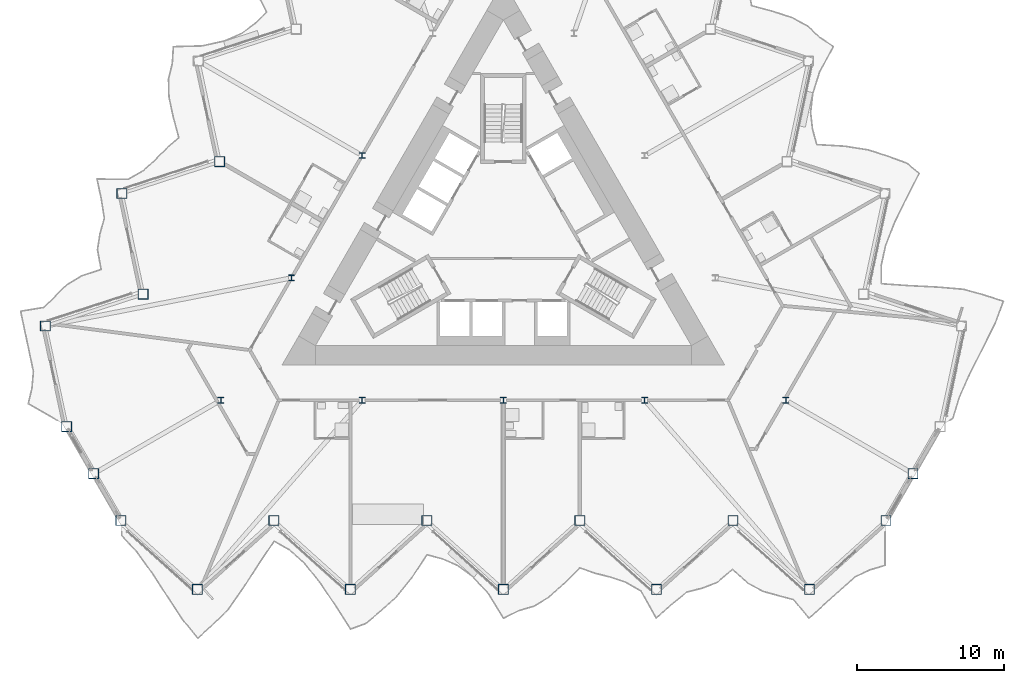
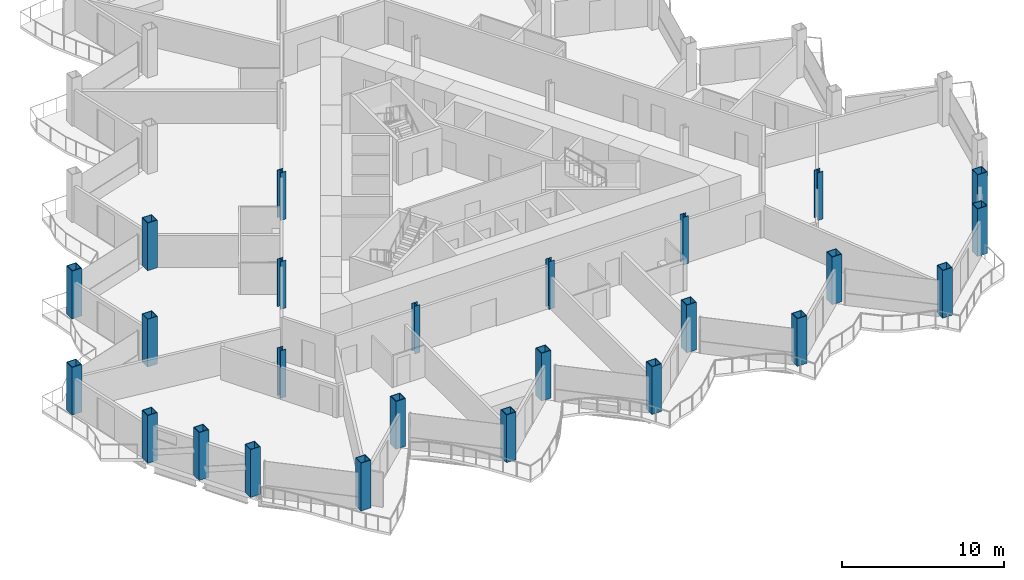
# One storey, part 1 of 23: 25 columns.
"""IFC4 building model written with IfcOpenShell, lengths in metres."""

from ifc_helpers import new_model, si_unit, direction, frame, origin, origin_2d, place, context, subcontext, project, spatial, hollow_rectangle, i_section, extrude, material, material_profile, profile_set, type_object, element, save


model = new_model("IFC4")

# Units and contexts
model_context = context("Model", 3, precision=1e-05, world=origin(), true_north=direction((0.0, 1.0)))
body_context = subcontext(model_context, "Body", "Model", "MODEL_VIEW")
ifc_project = project(units=[si_unit("LENGTHUNIT", "METRE"), si_unit("AREAUNIT", "SQUARE_METRE"), si_unit("VOLUMEUNIT", "CUBIC_METRE"), si_unit("PLANEANGLEUNIT", "RADIAN"), si_unit("MASSUNIT", "GRAM", prefix="KILO")], contexts=[model_context])

# Site, building, storey
site_placement = place(None, origin())
site = spatial("IfcSite", under=ifc_project, at=site_placement, CompositionType="ELEMENT")
building_placement = place(site_placement, origin())
building = spatial("IfcBuilding", under=site, at=building_placement, Name="Cormorant Prow Tower", CompositionType="ELEMENT")
storey_placement = place(building_placement, frame((0.0, 0.0, 252.60009765625)))
storey = spatial("IfcBuildingStorey", under=building, at=storey_placement, Name="L56", CompositionType="ELEMENT", Elevation=252.60009765625)

# Columns
ifc_material_1 = material(Name="Structural steel ASTM A572 Gr 50", Category="steel")
ifc_material_profile_1 = material_profile(ifc_material_1, hollow_rectangle(XDim=0.699951171875, YDim=0.699951171875, WallThickness=0.044921875, at=origin_2d()), Name="Box 700x700x45")
ifc_profile_set_1 = profile_set([ifc_material_profile_1], Name="Structural steel ASTM A572 Gr 50")
column_type_1 = type_object("IfcColumnType", Name="Perimeter box column 700x700x45", PredefinedType="COLUMN", material=ifc_profile_set_1)
for number, where, z_axis, x_axis, name in (
    (1, (-25.941162109375, -19.21533203125, 0.0), (0.0, 0.0, 1.0), (1.0, 0.0, 0.0), "Perimeter column C5 at S00 L56"),
    (2, (-20.7529296875, -23.886962890625, 0.0), (0.0, 0.0, 1.0), (1.0, 0.0, 0.0), "Perimeter column C5 at S01 L56"),
    (3, (-15.564697265625, -19.21533203125, 0.0), (0.0, 0.0, 1.0), (1.0, 0.0, 0.0), "Perimeter column C5 at S02 L56"),
    (4, (-10.37646484375, -23.886962890625, 0.0), (0.0, 0.0, 1.0), (1.0, 0.0, 0.0), "Perimeter column C5 at S03 L56"),
    (5, (-5.188232421875, -19.21533203125, 0.0), (0.0, 0.0, 1.0), (1.0, 0.0, 0.0), "Perimeter column C5 at S04 L56"),
    (6, (0.0, -23.886962890625, 0.0), (0.0, 0.0, 1.0), (1.0, 0.0, 0.0), "Perimeter column C5 at S05 L56"),
    (7, (5.188232421875, -19.21533203125, 0.0), (0.0, 0.0, 1.0), (1.0, 0.0, 0.0), "Perimeter column C5 at S06 L56"),
    (8, (10.37646484375, -23.886962890625, 0.0), (0.0, 0.0, 1.0), (1.0, 0.0, 0.0), "Perimeter column C5 at S07 L56"),
    (9, (15.564697265625, -19.21533203125, 0.0), (0.0, 0.0, 1.0), (1.0, 0.0, 0.0), "Perimeter column C5 at S08 L56"),
    (10, (20.7529296875, -23.886962890625, 0.0), (0.0, 0.0, 1.0), (1.0, 0.0, 0.0), "Perimeter column C5 at S09 L56"),
    (11, (25.941162109375, -19.21533203125, 0.0), (0.0, 0.0, 1.0), (1.0, 0.0, 0.0), "Perimeter column C5 at ESE00 L56"),
    (12, (27.7763671875, -16.03662109375, 0.0), (0.0, 0.0, 1.0), (1.0, 0.0, 0.0), "Perimeter column C5 at ESE01 L56"),
    (13, (-19.235107421875, 5.114501953125, 0.0), (0.0, 0.0, 1.0), (1.0, 0.0, 0.0), "Perimeter column C5 at WNW06 L56"),
    (14, (-25.875, 2.957275390625, 0.0), (0.0, 0.0, 1.0), (1.0, 0.0, 0.0), "Perimeter column C5 at WNW07 L56"),
    (15, (-24.42333984375, -3.871826171875, 0.0), (0.0, 0.0, 1.0), (1.0, 0.0, 0.0), "Perimeter column C5 at WNW08 L56"),
    (16, (-31.063232421875, -6.029052734375, 0.0), (0.0, 0.0, 1.0), (1.0, 0.0, 0.0), "Perimeter column C5 at WNW09 L56"),
    (17, (-29.611572265625, -12.858154296875, 0.0), (0.0, 0.0, 1.0), (1.0, 0.0, 0.0), "Perimeter column C5 at WSW00 L56"),
    (18, (-27.7763671875, -16.03662109375, 0.0), (0.0, 0.0, 1.0), (1.0, 0.0, 0.0), "Perimeter column C5 at WSW01 L56"),
):
    element("IfcColumn", number, at=place(storey_placement, frame(where, z_axis=z_axis, x_axis=x_axis)), inside=storey, type_object=column_type_1, Name=name, PredefinedType="COLUMN", context=body_context, shape_type="SweptSolid", body=[
        extrude(hollow_rectangle(XDim=0.699951171875, YDim=0.699951171875, WallThickness=0.044921875, at=origin_2d()), origin(), (0.0, 0.0, 1.0), 3.599853515625),
    ])
ifc_material_2 = material(Name="Structural steel ASTM A992 Gr 50", Category="steel")
ifc_material_profile_2 = material_profile(ifc_material_2, i_section(OverallWidth=0.39892578125, OverallDepth=0.393310546875, WebThickness=0.022705078125, FlangeThickness=0.03662109375, at=origin_2d()), Name="W14x193")
ifc_profile_set_2 = profile_set([ifc_material_profile_2], Name="Structural steel ASTM A992 Gr 50")
column_type_2 = type_object("IfcColumnType", Name="Ring column W14x193", PredefinedType="COLUMN", material=ifc_profile_set_2)
for number, where, z_axis, x_axis, name in (
    (19, (-9.578369140625, 5.530029296875, 0.0), (0.0, 0.0, 1.0), (1.0, 0.0, 0.0), "Ring column 3 L56"),
    (20, (-14.36767578125, -2.76513671875, 0.0), (0.0, 0.0, 1.0), (1.0, 0.0, 0.0), "Ring column 4 L56"),
    (21, (-19.156982421875, -11.060302734375, 0.0), (0.0, 0.0, 1.0), (1.0, 0.0, 0.0), "Ring column 5 L56"),
    (22, (-9.578369140625, -11.060302734375, 0.0), (0.0, 0.0, 1.0), (1.0, 0.0, 0.0), "Ring column 6 L56"),
    (23, (0.0, -11.060302734375, 0.0), (0.0, 0.0, 1.0), (1.0, 0.0, 0.0), "Ring column 7 L56"),
    (24, (9.578369140625, -11.060302734375, 0.0), (0.0, 0.0, 1.0), (1.0, 0.0, 0.0), "Ring column 8 L56"),
    (25, (19.156982421875, -11.060302734375, 0.0), (0.0, 0.0, 1.0), (1.0, 0.0, 0.0), "Ring column 9 L56"),
):
    element("IfcColumn", number, at=place(storey_placement, frame(where, z_axis=z_axis, x_axis=x_axis)), inside=storey, type_object=column_type_2, Name=name, PredefinedType="COLUMN", context=body_context, shape_type="SweptSolid", body=[
        extrude(i_section(OverallWidth=0.39892578125, OverallDepth=0.393310546875, WebThickness=0.022705078125, FlangeThickness=0.03662109375, at=origin_2d()), origin(), (0.0, 0.0, 1.0), 3.599853515625),
    ])

save(model, "model.ifc")
